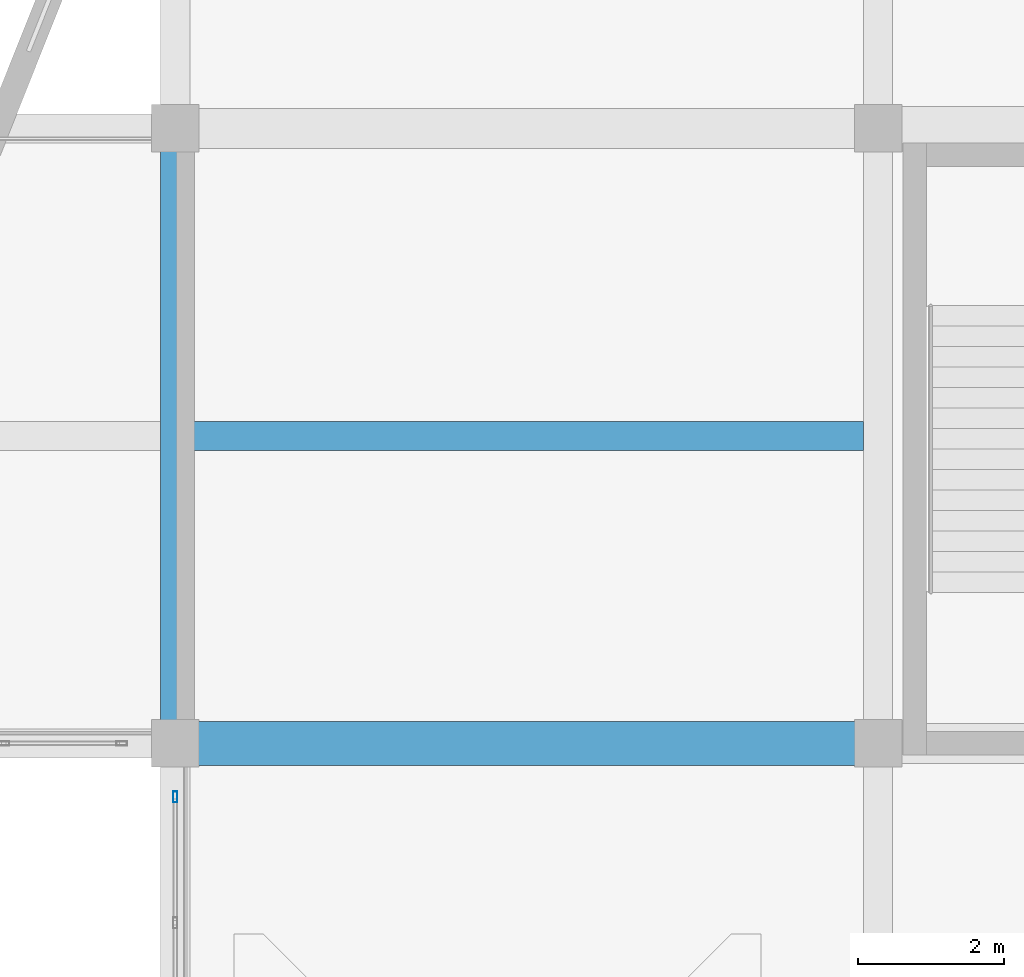
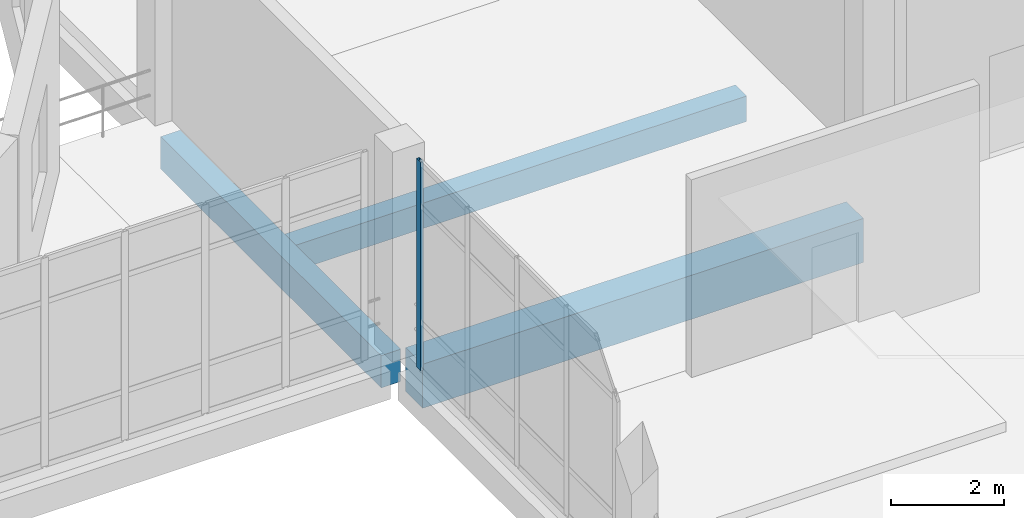
# One storey, part 39 of 88: 3 beams, 1 member, 1 element without a shape of its own.
"""IFC4 building model written with IfcOpenShell, lengths in metres."""

import ifcopenshell
import ifcopenshell.guid

model = None  # the IFC model being written
_history = None  # IfcOwnerHistory: only IFC2X3 demands one
_inside = {}  # id of a spatial element -> (the spatial element, [elements in it])
_under = {}  # id of a project, library or spatial element -> (it, [spatial elements below it])
_declared = {}  # id of a project -> (the project, [libraries it declares])
_typed = {}  # id of a type object -> (the type object, [elements of that type])
_made_of = {}  # id of a material, layer set ... -> (it, [elements and type objects made of it])


def new_model(schema):
    """Start an empty IFC model of exactly this schema.

    Asked for "IFC4X3", IfcOpenShell would pick the latest addendum, in which some entities
    have other attributes; the version numbers below select the first issue.
    IFC2X3 requires an IfcOwnerHistory on every rooted entity: one is made here for all.
    """
    global model, _history
    if schema == "IFC4X3":
        model = ifcopenshell.file(schema_version=(4, 3, 0, 0))
    else:
        model = ifcopenshell.file(schema=schema)
    _inside.clear()
    _under.clear()
    _declared.clear()
    _typed.clear()
    _made_of.clear()
    _history = None
    if model.schema == "IFC2X3":
        org = make("IfcOrganization", Name="unknown")
        user = make(
            "IfcPersonAndOrganization",
            ThePerson=make("IfcPerson", FamilyName="unknown"),
            TheOrganization=org,
        )
        app = make(
            "IfcApplication",
            ApplicationDeveloper=org,
            Version="unknown",
            ApplicationFullName="unknown",
            ApplicationIdentifier="unknown",
        )
        _history = make(
            "IfcOwnerHistory",
            OwningUser=user,
            OwningApplication=app,
            ChangeAction="ADDED",
            CreationDate=0,
        )
    return model


def make(cls, **values):
    """One entity of the class cls with the attributes given. An attribute that is None is left unset."""
    return model.create_entity(
        cls, **{name: value for name, value in values.items() if value is not None}
    )


def rooted(cls, **values):
    """An entity with a GlobalId (a new one), such as an element, a storey or a relation."""
    return make(cls, GlobalId=ifcopenshell.guid.new(), OwnerHistory=_history, **values)


def si_unit(unit_type, name, prefix=None):
    """IfcSIUnit, for example si_unit("LENGTHUNIT", "METRE", prefix="MILLI")."""
    return make("IfcSIUnit", UnitType=unit_type, Prefix=prefix, Name=name)


def assignment(units):
    """IfcUnitAssignment: the units of a project."""
    return None if units is None else make("IfcUnitAssignment", Units=units)


def point(xyz):
    """IfcCartesianPoint."""
    return None if xyz is None else make("IfcCartesianPoint", Coordinates=xyz)


def direction(xyz):
    """IfcDirection."""
    return None if xyz is None else make("IfcDirection", DirectionRatios=xyz)


def frame(location, z_axis=None, x_axis=None):
    """IfcAxis2Placement3D, a coordinate frame: its origin and axes. An axis left out is left unset."""
    return make(
        "IfcAxis2Placement3D",
        Location=point(location),
        Axis=direction(z_axis),
        RefDirection=direction(x_axis),
    )


def frame_2d(location, x_axis=None):
    """IfcAxis2Placement2D, a coordinate frame in the plane: its origin and x axis."""
    return make(
        "IfcAxis2Placement2D", Location=point(location), RefDirection=direction(x_axis)
    )


def origin():
    """The frame at (0, 0, 0) with its axes left unset."""
    return frame((0.0, 0.0, 0.0))


def origin_2d():
    """The frame at (0, 0) in the plane with its x axis left unset."""
    return frame_2d((0.0, 0.0))


def place(relative_to, where):
    """IfcLocalPlacement: puts the frame where relative to a parent placement (None: the world)."""
    return make(
        "IfcLocalPlacement", PlacementRelTo=relative_to, RelativePlacement=where
    )


def context(
    kind, dimensions, precision=None, world=None, true_north=None, identifier=None
):
    """IfcGeometricRepresentationContext, for example the 3D "Model" context."""
    return make(
        "IfcGeometricRepresentationContext",
        ContextIdentifier=identifier,
        ContextType=kind,
        CoordinateSpaceDimension=dimensions,
        Precision=precision,
        WorldCoordinateSystem=world,
        TrueNorth=true_north,
    )


def subcontext(parent, identifier, kind, view, scale=None):
    """IfcGeometricRepresentationSubContext, for example "Body" below "Model"."""
    return make(
        "IfcGeometricRepresentationSubContext",
        ContextIdentifier=identifier,
        ContextType=kind,
        ParentContext=parent,
        TargetScale=scale,
        TargetView=view,
    )


def project(units=None, contexts=None):
    """IfcProject with its units and contexts."""
    return rooted(
        "IfcProject",
        Name="project",
        RepresentationContexts=contexts,
        UnitsInContext=assignment(units),
    )


def spatial(cls, under=None, at=None, **own):
    """A site, building, storey or space (cls), placed at a placement, below another one or the project."""
    s = rooted(cls, ObjectPlacement=at, **own)
    if under is not None:
        _under.setdefault(under.id(), (under, []))[1].append(s)
    return s


def profile(cls, at=None, kind="AREA", **sizes):
    """A parametric profile (cls). Its sizes go by their IFC names, for example OverallWidth=200.0."""
    return make(cls, ProfileType=kind, Position=at, **sizes)


def rectangle(**sizes):
    """IfcRectangleProfileDef."""
    return profile("IfcRectangleProfileDef", **sizes)


def hollow_rectangle(**sizes):
    """IfcRectangleHollowProfileDef."""
    return profile("IfcRectangleHollowProfileDef", **sizes)


def extrude(swept, where, along, depth):
    """IfcExtrudedAreaSolid: the profile swept, set in the frame where, extruded along a direction by depth."""
    return make(
        "IfcExtrudedAreaSolid",
        SweptArea=swept,
        Position=where,
        ExtrudedDirection=direction(along),
        Depth=depth,
    )


def shape(context_of_items, identifier, shape_type, items):
    """IfcShapeRepresentation: the items that make up one representation, for example the "Body"."""
    return make(
        "IfcShapeRepresentation",
        ContextOfItems=context_of_items,
        RepresentationIdentifier=identifier,
        RepresentationType=shape_type,
        Items=items,
    )


def material(Name=None, Category=None):
    """IfcMaterial."""
    return make("IfcMaterial", Name=Name, Category=Category)


def layer(
    of_material, thickness, ventilated=None, Name=None, Category=None, Priority=None
):
    """IfcMaterialLayer: one layer of a wall or slab, of a material (None: an air gap)."""
    return make(
        "IfcMaterialLayer",
        Material=of_material,
        LayerThickness=thickness,
        IsVentilated=ventilated,
        Name=Name,
        Category=Category,
        Priority=Priority,
    )


def layer_set(layers, Name=None):
    """IfcMaterialLayerSet."""
    return make("IfcMaterialLayerSet", MaterialLayers=layers, LayerSetName=Name)


def material_profile(
    of_material, cross_section, Name=None, Category=None, Priority=None
):
    """IfcMaterialProfile: a cross section and its material."""
    return make(
        "IfcMaterialProfile",
        Name=Name,
        Material=of_material,
        Profile=cross_section,
        Priority=Priority,
        Category=Category,
    )


def profile_set(profiles, Name=None, composite=None):
    """IfcMaterialProfileSet."""
    return make(
        "IfcMaterialProfileSet",
        Name=Name,
        MaterialProfiles=profiles,
        CompositeProfile=composite,
    )


def made_of(thing, what):
    """Note that an element or type object is made of a material, layer set ...; save() writes the relation."""
    if what is not None:
        _made_of.setdefault(what.id(), (what, []))[1].append(thing)
    return thing


def type_object(cls, material=None, **own):
    """A type object (cls), such as IfcWallType, which elements share."""
    return made_of(rooted(cls, **own), material)


def element(
    cls,
    number,
    at=None,
    inside=None,
    cuts=None,
    type_object=None,
    material=None,
    context=None,
    identifier="Body",
    shape_type=None,
    held_by="IfcProductDefinitionShape",
    body=None,
    shapes=None,
    **own,
):
    """One element of the class cls, such as IfcWall. Its Tag is "e" and its number.

    at: its placement. inside: the storey or other place that contains it. cuts: it is an
    opening in that element (IfcRelVoidsElement). A single representation is given by context,
    identifier, shape_type and body (its items); several are given by shapes. held_by: the class
    of the entity that holds the representations. save() writes the other relations.
    """
    e = rooted(cls, Tag="e%d" % number, ObjectPlacement=at, **own)
    if body is not None:
        shapes = [shape(context, identifier, shape_type, body)]
    if shapes is not None:
        e.Representation = make(held_by, Representations=shapes)
    if inside is not None:
        _inside.setdefault(inside.id(), (inside, []))[1].append(e)
    if cuts is not None:
        rooted(
            "IfcRelVoidsElement", RelatingBuildingElement=cuts, RelatedOpeningElement=e
        )
    if type_object is not None:
        _typed.setdefault(type_object.id(), (type_object, []))[1].append(e)
    return made_of(e, material)


def aggregate(whole, parts):
    """IfcRelAggregates: a whole, such as a stair, and the parts it consists of."""
    return rooted("IfcRelAggregates", RelatingObject=whole, RelatedObjects=parts)


def save(model, path):
    """Write the relations noted so far, then the file.

    IfcRelAggregates (storeys below a building ...), IfcRelContainedInSpatialStructure (elements
    in a storey), IfcRelDefinesByType, IfcRelAssociatesMaterial and IfcRelDeclares: one each for
    every whole, place, type object, material and project.
    """
    for whole, parts in _under.values():
        aggregate(whole, parts)
    for where, things in _inside.values():
        rooted(
            "IfcRelContainedInSpatialStructure",
            RelatedElements=things,
            RelatingStructure=where,
        )
    for kind, things in _typed.values():
        rooted("IfcRelDefinesByType", RelatedObjects=things, RelatingType=kind)
    for what, things in _made_of.values():
        rooted("IfcRelAssociatesMaterial", RelatedObjects=things, RelatingMaterial=what)
    for by, libraries in _declared.values():
        rooted("IfcRelDeclares", RelatingContext=by, RelatedDefinitions=libraries)
    model.write(path)


model = new_model("IFC4")

# Units and contexts
model_context = context("Model", 3, precision=1e-05, world=origin(), true_north=direction((0.0, 1.0)))
body_context = subcontext(model_context, "Body", "Model", "MODEL_VIEW")
ifc_project = project(units=[si_unit("LENGTHUNIT", "METRE"), si_unit("AREAUNIT", "SQUARE_METRE"), si_unit("VOLUMEUNIT", "CUBIC_METRE"), si_unit("PLANEANGLEUNIT", "RADIAN"), si_unit("MASSUNIT", "GRAM", prefix="KILO")], contexts=[model_context])

# Site, building, storey
site_placement = place(None, origin())
site = spatial("IfcSite", under=ifc_project, at=site_placement, CompositionType="ELEMENT")
building_placement = place(site_placement, origin())
building = spatial("IfcBuilding", under=site, at=building_placement, Name="Lornevale Opera House", CompositionType="ELEMENT")
storey_placement = place(building_placement, frame((0.0, 0.0, 10.199951171875)))
storey = spatial("IfcBuildingStorey", under=building, at=storey_placement, Name="L03", CompositionType="ELEMENT", Elevation=10.199951171875)

# Beams
ifc_material_1 = material(Name="Concrete 35 MPa (CSA A23.1 N)", Category="concrete")
ifc_material_profile_1 = material_profile(ifc_material_1, rectangle(XDim=0.39990234375, YDim=0.550048828125, at=origin_2d()), Name="RC400x550")
ifc_profile_set_1 = profile_set([ifc_material_profile_1], Name="Concrete 35 MPa (CSA A23.1 N)")
beam_type_1 = type_object("IfcBeamType", Name="Auditorium Tier Raker Beam 400x550", PredefinedType="JOIST", material=ifc_profile_set_1)
beam_1_placement = place(storey_placement, frame((96.199951171875, 37.800048828125, -0.554931640625), z_axis=(1.0, 0.0, 0.0), x_axis=(0.0, 1.0, 0.0)))
element("IfcBeam", 1, at=beam_1_placement, inside=storey, type_object=beam_type_1, Name="Auditorium Tier Raker Beam 400x550 2418", PredefinedType="JOIST", context=body_context, shape_type="SweptSolid", body=[
    extrude(rectangle(XDim=0.39990234375, YDim=0.550048828125, at=origin_2d()), origin(), (0.0, 0.0, 1.0), 9.199951171875),
])
ifc_material_profile_2 = material_profile(ifc_material_1, rectangle(XDim=0.39990234375, YDim=0.699951171875, at=origin_2d()), Name="RC400x700")
ifc_profile_set_2 = profile_set([ifc_material_profile_2], Name="Concrete 35 MPa (CSA A23.1 N)")
beam_type_2 = type_object("IfcBeamType", Name="Concrete Floor Beam 400x700", PredefinedType="USERDEFINED", material=ifc_profile_set_2)
beam_2_placement = place(storey_placement, frame((96.0, 33.89990234375, -0.6298828125), z_axis=(0.0, 1.0, 0.0), x_axis=(-1.0, 0.0, 0.0)))
element("IfcBeam", 2, at=beam_2_placement, inside=storey, type_object=beam_type_2, Name="Concrete Floor Beam 400x700 2303", ObjectType="GIRDER", PredefinedType="USERDEFINED", context=body_context, shape_type="SweptSolid", body=[
    extrude(rectangle(XDim=0.39990234375, YDim=0.699951171875, at=origin_2d()), origin(), (0.0, 0.0, 1.0), 7.800048828125),
])
ifc_material_profile_3 = material_profile(ifc_material_1, rectangle(XDim=0.60009765625, YDim=0.949951171875, at=origin_2d()), Name="RC600x950")
ifc_profile_set_3 = profile_set([ifc_material_profile_3], Name="Concrete 35 MPa (CSA A23.1 N)")
beam_type_3 = type_object("IfcBeamType", Name="Concrete Primary Girder 600x950", PredefinedType="USERDEFINED", material=ifc_profile_set_3)
beam_3_placement = place(storey_placement, frame((96.300048828125, 33.60009765625, -0.7548828125), z_axis=(1.0, 0.0, 0.0), x_axis=(0.0, 1.0, 0.0)))
element("IfcBeam", 3, at=beam_3_placement, inside=storey, type_object=beam_type_3, Name="Concrete Primary Girder 600x950 2124", ObjectType="GIRDER", PredefinedType="USERDEFINED", context=body_context, shape_type="SweptSolid", body=[
    extrude(rectangle(XDim=0.60009765625, YDim=0.949951171875, at=origin_2d()), origin(), (0.0, 0.0, 1.0), 9.0),
])

# Curtain wall, member
ifc_material_2 = material(Name="Anodized Oxide-Green Aluminium Framing", Category="aluminium")
ifc_layer = layer(ifc_material_2, 0.14990234375)
ifc_layer_set = layer_set([ifc_layer], Name="Anodized Oxide-Green Aluminium Framing")
curtain_wall_type = type_object("IfcCurtainWallType", Name="North-Light Clerestory Curtain Wall M1600", PredefinedType="NOTDEFINED", material=ifc_layer_set)
curtain_wall_placement = place(storey_placement, origin())
curtain_wall = element("IfcCurtainWall", 4, at=curtain_wall_placement, inside=storey, type_object=curtain_wall_type, Name="North-Light Clerestory Curtain Wall M1600 CW-179", PredefinedType="NOTDEFINED")
ifc_material_profile_4 = material_profile(ifc_material_2, hollow_rectangle(XDim=0.06005859375, YDim=0.14990234375, WallThickness=0.00390625, at=origin_2d()), Name="ALU60x150x4")
ifc_profile_set_4 = profile_set([ifc_material_profile_4], Name="Anodized Oxide-Green Aluminium Framing")
member_type = type_object("IfcMemberType", Name="Curtain Wall Mullion 60x150", PredefinedType="MULLION", material=ifc_profile_set_4)
member_placement = place(storey_placement, frame((96.0, 32.8701171875, 0.0), z_axis=(0.0, 0.0, 1.0), x_axis=(1.0, 0.0, 0.0)))
member = element("IfcMember", 5, at=member_placement, type_object=member_type, Name="Curtain Wall Mullion 60x150 CW3739", PredefinedType="MULLION", context=body_context, shape_type="SweptSolid", body=[
    extrude(hollow_rectangle(XDim=0.06005859375, YDim=0.14990234375, WallThickness=0.00390625, at=origin_2d()), origin(), (0.0, 0.0, 1.0), 4.5),
])
aggregate(curtain_wall, [member])

save(model, "model.ifc")
